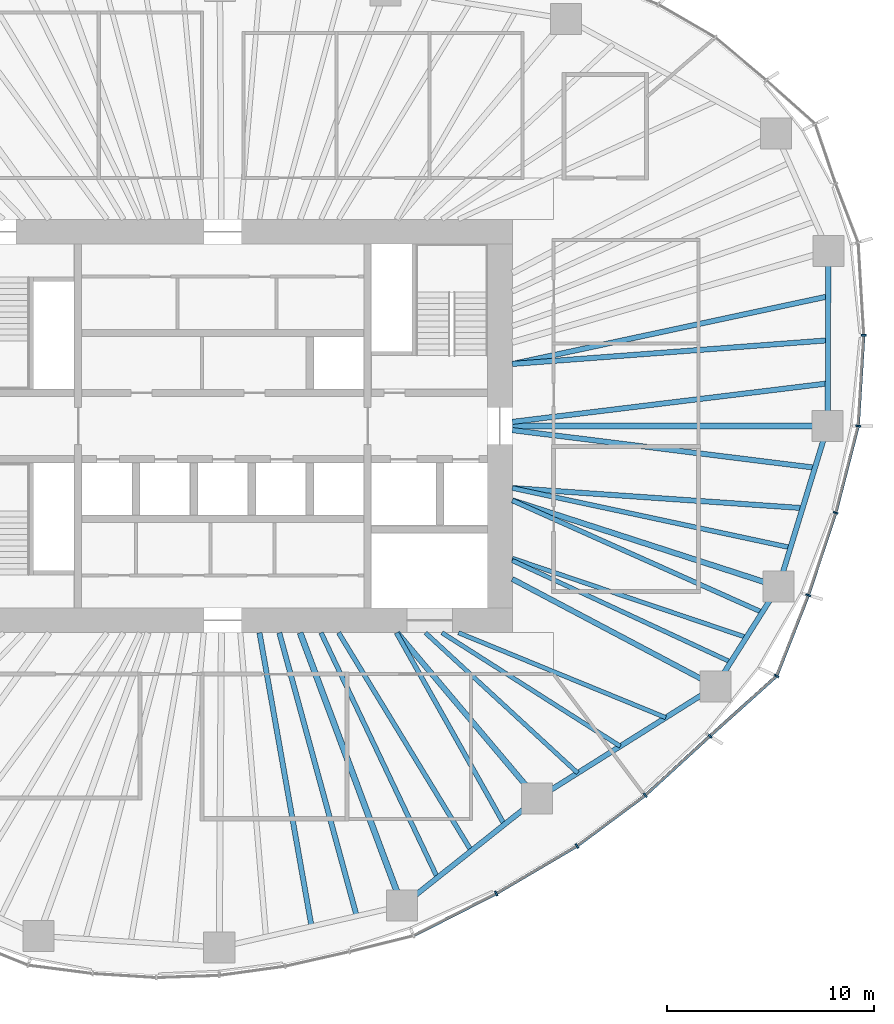
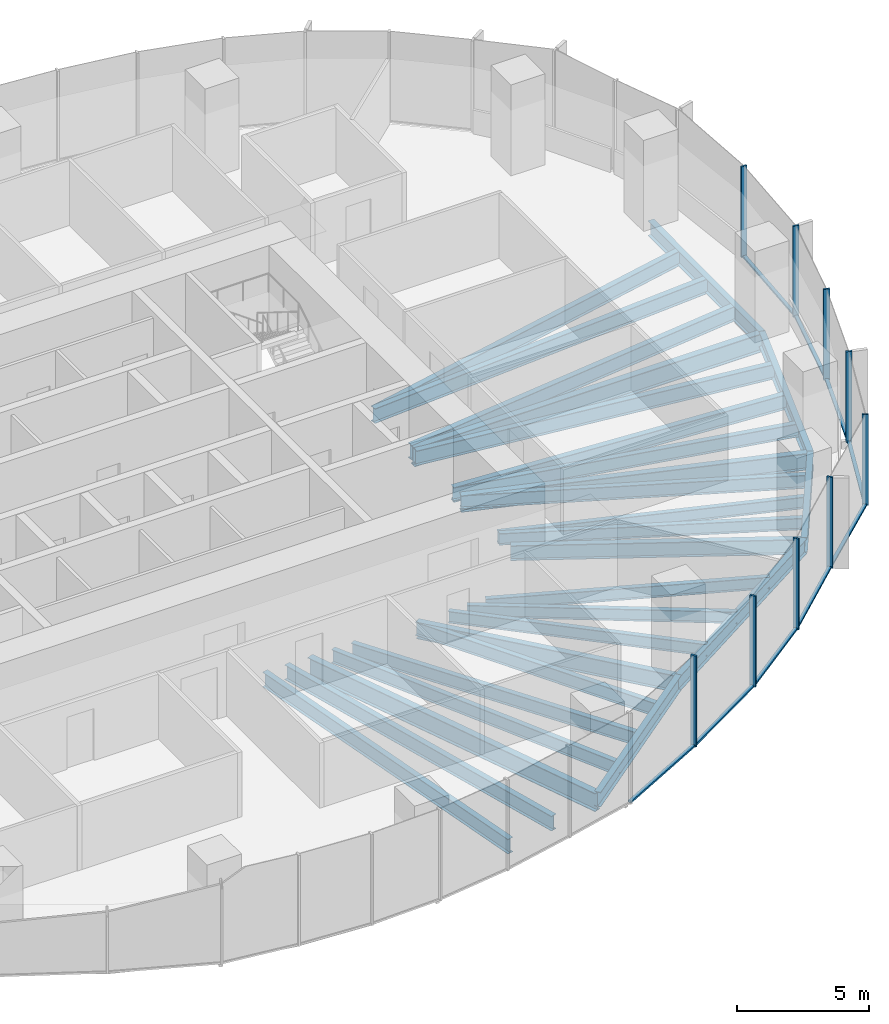
# One storey, part 4 of 18: 27 beams, 18 members, 5 elements without a shape of their own.
"""IFC4 building model written with IfcOpenShell, lengths in metres."""

from ifc_helpers import new_model, si_unit, direction, frame, origin, origin_2d, place, context, subcontext, project, spatial, rectangle, i_section, extrude, material, material_profile, profile_set, type_object, element, aggregate, save


model = new_model("IFC4")

# Units and contexts
model_context = context("Model", 3, precision=1e-05, world=origin(), true_north=direction((0.0, 1.0)))
body_context = subcontext(model_context, "Body", "Model", "MODEL_VIEW")
ifc_project = project(units=[si_unit("LENGTHUNIT", "METRE"), si_unit("AREAUNIT", "SQUARE_METRE"), si_unit("VOLUMEUNIT", "CUBIC_METRE"), si_unit("PLANEANGLEUNIT", "RADIAN"), si_unit("MASSUNIT", "GRAM", prefix="KILO")], contexts=[model_context])

# Site, building, storey
site_placement = place(None, origin())
site = spatial("IfcSite", under=ifc_project, at=site_placement, CompositionType="ELEMENT")
building_placement = place(site_placement, origin())
building = spatial("IfcBuilding", under=site, at=building_placement, Name="Ghaith Harvest Tower", CompositionType="ELEMENT")
storey_placement = place(building_placement, frame((0.0, 0.0, 121.800048828125)))
storey = spatial("IfcBuildingStorey", under=building, at=storey_placement, Name="L25", CompositionType="ELEMENT", Elevation=121.800048828125)

# Curtain wall, members
ifc_material_1 = material(Name="Black anodised aluminium and fritted glass", Category="aluminium")
curtain_wall_type = type_object("IfcCurtainWallType", Name="CW-L CURTAIN WALL", PredefinedType="NOTDEFINED", material=ifc_material_1)
curtain_wall_1_placement = place(storey_placement, origin())
curtain_wall_1 = element("IfcCurtainWall", 1, at=curtain_wall_1_placement, inside=storey, type_object=curtain_wall_type, Name="Curtain wall CW-L bay 01 L25", PredefinedType="NOTDEFINED")
ifc_material_2 = material(Name="Aluminium, black anodised", Category="aluminium")
ifc_material_profile_1 = material_profile(ifc_material_2, rectangle(XDim=0.080078125, YDim=0.239990234375, at=origin_2d()), Name="CW-L MULLION 80x240")
ifc_profile_set_1 = profile_set([ifc_material_profile_1], Name="Aluminium, black anodised")
member_type_1 = type_object("IfcMemberType", Name="CW-L MULLION 80x240", PredefinedType="MULLION", material=ifc_profile_set_1)
member_1_placement = place(storey_placement, frame((30.728759765625, 0.0, 0.0), z_axis=(0.0, 0.0, 1.0), x_axis=(0.155597142981, 0.987820595602, 0.0)))
member_1 = element("IfcMember", 2, at=member_1_placement, type_object=member_type_1, Name="CW-L mullion 1 bay 01 L25", PredefinedType="MULLION", context=body_context, shape_type="SweptSolid", body=[
    extrude(rectangle(XDim=0.080078125, YDim=0.239990234375, at=origin_2d()), origin(), (0.0, 0.0, 1.0), 4.199951171875),
])
member_2_placement = place(storey_placement, frame((30.998779296875, 4.389892578125, 0.0), z_axis=(0.0, 0.0, 1.0), x_axis=(-0.000162467394, 0.999999986802, 0.0)))
member_2 = element("IfcMember", 3, at=member_2_placement, type_object=member_type_1, Name="CW-L mullion 2 bay 01 L25", PredefinedType="MULLION", context=body_context, shape_type="SweptSolid", body=[
    extrude(rectangle(XDim=0.080078125, YDim=0.239990234375, at=origin_2d()), origin(), (0.0, 0.0, 1.0), 4.199951171875),
])

# Curtain wall, member
curtain_wall_2_placement = place(storey_placement, origin())
curtain_wall_2 = element("IfcCurtainWall", 4, at=curtain_wall_2_placement, inside=storey, type_object=curtain_wall_type, Name="Curtain wall CW-L bay 17 L25", PredefinedType="NOTDEFINED")
member_3_placement = place(storey_placement, frame((13.224365234375, -22.614013671875, 0.0), z_axis=(0.0, 0.0, 1.0), x_axis=(0.876898762173, 0.480675109507, 0.0)))
member_3 = element("IfcMember", 5, at=member_3_placement, type_object=member_type_1, Name="CW-L mullion 2 bay 17 L25", PredefinedType="MULLION", context=body_context, shape_type="SweptSolid", body=[
    extrude(rectangle(XDim=0.080078125, YDim=0.239990234375, at=origin_2d()), origin(), (0.0, 0.0, 1.0), 4.199951171875),
])

# Curtain wall, members
curtain_wall_3_placement = place(storey_placement, origin())
curtain_wall_3 = element("IfcCurtainWall", 6, at=curtain_wall_3_placement, inside=storey, type_object=curtain_wall_type, Name="Curtain wall CW-L bay 18 L25", PredefinedType="NOTDEFINED")
member_4_placement = place(storey_placement, frame((17.1318359375, -20.31591796875, 0.0), z_axis=(0.0, 0.0, 1.0), x_axis=(0.834887453241, 0.550420694035, 0.0)))
member_4 = element("IfcMember", 7, at=member_4_placement, type_object=member_type_1, Name="CW-L mullion 1 bay 18 L25", PredefinedType="MULLION", context=body_context, shape_type="SweptSolid", body=[
    extrude(rectangle(XDim=0.080078125, YDim=0.239990234375, at=origin_2d()), origin(), (0.0, 0.0, 1.0), 4.199951171875),
])
member_5_placement = place(storey_placement, frame((20.4296875, -17.86376953125, 0.0), z_axis=(0.0, 0.0, 1.0), x_axis=(0.770306399656, 0.637673937564, 0.0)))
member_5 = element("IfcMember", 8, at=member_5_placement, type_object=member_type_1, Name="CW-L mullion 2 bay 18 L25", PredefinedType="MULLION", context=body_context, shape_type="SweptSolid", body=[
    extrude(rectangle(XDim=0.080078125, YDim=0.239990234375, at=origin_2d()), origin(), (0.0, 0.0, 1.0), 4.199951171875),
])

curtain_wall_4_placement = place(storey_placement, origin())
curtain_wall_4 = element("IfcCurtainWall", 9, at=curtain_wall_4_placement, inside=storey, type_object=curtain_wall_type, Name="Curtain wall CW-L bay 19 L25", PredefinedType="NOTDEFINED")
member_6_placement = place(storey_placement, frame((23.560546875, -14.994140625, 0.0), z_axis=(0.0, 0.0, 1.0), x_axis=(0.740389054945, 0.672178582906, 0.0)))
member_6 = element("IfcMember", 10, at=member_6_placement, type_object=member_type_1, Name="CW-L mullion 1 bay 19 L25", PredefinedType="MULLION", context=body_context, shape_type="SweptSolid", body=[
    extrude(rectangle(XDim=0.080078125, YDim=0.239990234375, at=origin_2d()), origin(), (0.0, 0.0, 1.0), 4.199951171875),
])
member_7_placement = place(storey_placement, frame((26.786376953125, -12.0927734375, 0.0), z_axis=(0.0, 0.0, 1.0), x_axis=(0.572853476908, 0.819657790785, 0.0)))
member_7 = element("IfcMember", 11, at=member_7_placement, type_object=member_type_1, Name="CW-L mullion 2 bay 19 L25", PredefinedType="MULLION", context=body_context, shape_type="SweptSolid", body=[
    extrude(rectangle(XDim=0.080078125, YDim=0.239990234375, at=origin_2d()), origin(), (0.0, 0.0, 1.0), 4.199951171875),
])

curtain_wall_5_placement = place(storey_placement, origin())
curtain_wall_5 = element("IfcCurtainWall", 12, at=curtain_wall_5_placement, inside=storey, type_object=curtain_wall_type, Name="Curtain wall CW-L bay 20 L25", PredefinedType="NOTDEFINED")
member_8_placement = place(storey_placement, frame((28.319580078125, -8.184814453125, 0.0), z_axis=(0.0, 0.0, 1.0), x_axis=(0.34057402484, 0.94021770543, 0.0)))
member_8 = element("IfcMember", 13, at=member_8_placement, type_object=member_type_1, Name="CW-L mullion 1 bay 20 L25", PredefinedType="MULLION", context=body_context, shape_type="SweptSolid", body=[
    extrude(rectangle(XDim=0.080078125, YDim=0.239990234375, at=origin_2d()), origin(), (0.0, 0.0, 1.0), 4.199951171875),
])
member_9_placement = place(storey_placement, frame((29.64599609375, -4.1982421875, 0.0), z_axis=(0.0, 0.0, 1.0), x_axis=(0.282375140161, 0.959304060358, 0.0)))
member_9 = element("IfcMember", 14, at=member_9_placement, type_object=member_type_1, Name="CW-L mullion 2 bay 20 L25", PredefinedType="MULLION", context=body_context, shape_type="SweptSolid", body=[
    extrude(rectangle(XDim=0.080078125, YDim=0.239990234375, at=origin_2d()), origin(), (0.0, 0.0, 1.0), 4.199951171875),
])

# Member
ifc_material_3 = material(Name="Aluminium, black anodised", Category="aluminium")
ifc_material_profile_2 = material_profile(ifc_material_3, rectangle(XDim=0.14990234375, YDim=0.080078125, at=origin_2d()), Name="CW-L TRANSOM 150x80")
ifc_profile_set_2 = profile_set([ifc_material_profile_2], Name="Aluminium, black anodised")
member_type_2 = type_object("IfcMemberType", Name="CW-L TRANSOM 150x80", PredefinedType="USERDEFINED", material=ifc_profile_set_2)
member_10_placement = place(storey_placement, frame((30.731201171875, 0.0400390625, 0.0400390625), z_axis=(0.061403204251, 0.99811304295, 0.0), x_axis=(-0.99811304295, 0.061403204251, 0.0)))
member_10 = element("IfcMember", 15, at=member_10_placement, type_object=member_type_2, Name="CW-L transom 1 bay 01 L25", ObjectType="TRANSOM", PredefinedType="USERDEFINED", context=body_context, shape_type="SweptSolid", body=[
    extrude(rectangle(XDim=0.14990234375, YDim=0.080078125, at=origin_2d()), origin(), (0.0, 0.0, 1.0), 4.31787109375),
])

aggregate(curtain_wall_1, [member_1, member_10, member_2])

member_11_placement = place(storey_placement, frame((9.25244140625, -24.636474609375, 0.0400390625), z_axis=(0.891120044719, 0.453767634258, 0.0), x_axis=(-0.453767634258, 0.891120044719, 0.0)))
member_11 = element("IfcMember", 16, at=member_11_placement, type_object=member_type_2, Name="CW-L transom 1 bay 17 L25", ObjectType="TRANSOM", PredefinedType="USERDEFINED", context=body_context, shape_type="SweptSolid", body=[
    extrude(rectangle(XDim=0.14990234375, YDim=0.080078125, at=origin_2d()), origin(), (0.0, 0.0, 1.0), 4.417236328125),
])

member_12_placement = place(storey_placement, frame((13.259033203125, -22.59375, 0.0400390625), z_axis=(0.86196381091, 0.506969810424, 0.0), x_axis=(-0.506969810424, 0.86196381091, 0.0)))
member_12 = element("IfcMember", 17, at=member_12_placement, type_object=member_type_2, Name="CW-L transom 2 bay 17 L25", ObjectType="TRANSOM", PredefinedType="USERDEFINED", context=body_context, shape_type="SweptSolid", body=[
    extrude(rectangle(XDim=0.14990234375, YDim=0.080078125, at=origin_2d()), origin(), (0.0, 0.0, 1.0), 4.453125),
])

aggregate(curtain_wall_2, [member_11, member_3, member_12])

member_13_placement = place(storey_placement, frame((17.1640625, -20.2919921875, 0.0400390625), z_axis=(0.802465316609, 0.59669876457, 0.0), x_axis=(-0.59669876457, 0.802465316609, 0.0)))
member_13 = element("IfcMember", 18, at=member_13_placement, type_object=member_type_2, Name="CW-L transom 1 bay 18 L25", ObjectType="TRANSOM", PredefinedType="USERDEFINED", context=body_context, shape_type="SweptSolid", body=[
    extrude(rectangle(XDim=0.14990234375, YDim=0.080078125, at=origin_2d()), origin(), (0.0, 0.0, 1.0), 4.029296875),
])

member_14_placement = place(storey_placement, frame((20.459228515625, -17.836669921875, 0.0400390625), z_axis=(0.737197916434, 0.675676869521, 0.0), x_axis=(-0.675676869521, 0.737197916434, 0.0)))
member_14 = element("IfcMember", 19, at=member_14_placement, type_object=member_type_2, Name="CW-L transom 2 bay 18 L25", ObjectType="TRANSOM", PredefinedType="USERDEFINED", context=body_context, shape_type="SweptSolid", body=[
    extrude(rectangle(XDim=0.14990234375, YDim=0.080078125, at=origin_2d()), origin(), (0.0, 0.0, 1.0), 4.166748046875),
])

aggregate(curtain_wall_3, [member_4, member_13, member_5, member_14])

member_15_placement = place(storey_placement, frame((23.59033203125, -14.967529296875, 0.0400390625), z_axis=(0.74346800111, 0.668771509056, 0.0), x_axis=(-0.668771509056, 0.74346800111, 0.0)))
member_15 = element("IfcMember", 20, at=member_15_placement, type_object=member_type_2, Name="CW-L transom 1 bay 19 L25", ObjectType="TRANSOM", PredefinedType="USERDEFINED", context=body_context, shape_type="SweptSolid", body=[
    extrude(rectangle(XDim=0.14990234375, YDim=0.080078125, at=origin_2d()), origin(), (0.0, 0.0, 1.0), 4.2587890625),
])

member_16_placement = place(storey_placement, frame((26.801025390625, -12.055419921875, 0.0400390625), z_axis=(0.365228588652, 0.930917868575, 0.0), x_axis=(-0.930917868575, 0.365228588652, 0.0)))
member_16 = element("IfcMember", 21, at=member_16_placement, type_object=member_type_2, Name="CW-L transom 2 bay 19 L25", ObjectType="TRANSOM", PredefinedType="USERDEFINED", context=body_context, shape_type="SweptSolid", body=[
    extrude(rectangle(XDim=0.14990234375, YDim=0.080078125, at=origin_2d()), origin(), (0.0, 0.0, 1.0), 4.11767578125),
])

aggregate(curtain_wall_4, [member_6, member_15, member_7, member_16])

member_17_placement = place(storey_placement, frame((28.33203125, -8.14697265625, 0.0400390625), z_axis=(0.315712391444, 0.948854934059, 0.0), x_axis=(-0.948854934059, 0.315712391444, 0.0)))
member_17 = element("IfcMember", 22, at=member_17_placement, type_object=member_type_2, Name="CW-L transom 1 bay 20 L25", ObjectType="TRANSOM", PredefinedType="USERDEFINED", context=body_context, shape_type="SweptSolid", body=[
    extrude(rectangle(XDim=0.14990234375, YDim=0.080078125, at=origin_2d()), origin(), (0.0, 0.0, 1.0), 4.12158203125),
])

member_18_placement = place(storey_placement, frame((29.656005859375, -4.159423828125, 0.0400390625), z_axis=(0.249737470584, 0.968313583395, 0.0), x_axis=(-0.968313583395, 0.249737470584, 0.0)))
member_18 = element("IfcMember", 23, at=member_18_placement, type_object=member_type_2, Name="CW-L transom 2 bay 20 L25", ObjectType="TRANSOM", PredefinedType="USERDEFINED", context=body_context, shape_type="SweptSolid", body=[
    extrude(rectangle(XDim=0.14990234375, YDim=0.080078125, at=origin_2d()), origin(), (0.0, 0.0, 1.0), 4.25537109375),
])

aggregate(curtain_wall_5, [member_8, member_17, member_9, member_18])

# Beams
ifc_material_4 = material(Name="Steel ASTM A992 Grade 50", Category="steel")
ifc_material_profile_3 = material_profile(ifc_material_4, i_section(OverallWidth=0.25390625, OverallDepth=0.68408203125, WebThickness=0.012451171875, FlangeThickness=0.018798828125, at=origin_2d()), Name="W690X140")
ifc_profile_set_3 = profile_set([ifc_material_profile_3], Name="Steel ASTM A992 Grade 50")
beam_type_1 = type_object("IfcBeamType", Name="E690-140 W690X140", PredefinedType="SPANDREL", material=ifc_profile_set_3)
beam_1_placement = place(storey_placement, frame((29.259033203125, 0.0, -0.511962890625), z_axis=(0.003172847394, 0.999994966507, 0.0), x_axis=(-0.999994966507, 0.003172847394, 0.0)))
element("IfcBeam", 24, at=beam_1_placement, inside=storey, type_object=beam_type_1, Name="Edge beam E01 L25", PredefinedType="SPANDREL", context=body_context, shape_type="SweptSolid", body=[
    extrude(i_section(OverallWidth=0.25390625, OverallDepth=0.68408203125, WebThickness=0.012451171875, FlangeThickness=0.018798828125, at=origin_2d()), origin(), (0.0, 0.0, 1.0), 8.464111328125),
])
beam_2_placement = place(storey_placement, frame((8.674072265625, -23.202880859375, -0.511962890625), z_axis=(0.783159540917, 0.621820821033, 0.0), x_axis=(-0.621820821033, 0.783159540917, 0.0)))
element("IfcBeam", 25, at=beam_2_placement, inside=storey, type_object=beam_type_1, Name="Edge beam E17 L25", PredefinedType="SPANDREL", context=body_context, shape_type="SweptSolid", body=[
    extrude(i_section(OverallWidth=0.25390625, OverallDepth=0.68408203125, WebThickness=0.012451171875, FlangeThickness=0.018798828125, at=origin_2d()), origin(), (0.0, 0.0, 1.0), 8.330322265625),
])
beam_3_placement = place(storey_placement, frame((15.197998046875, -18.02294921875, -0.511962890625), z_axis=(0.846385185363, 0.532571232793, 0.0), x_axis=(-0.532571232793, 0.846385185363, 0.0)))
element("IfcBeam", 26, at=beam_3_placement, inside=storey, type_object=beam_type_1, Name="Edge beam E18 L25", PredefinedType="SPANDREL", context=body_context, shape_type="SweptSolid", body=[
    extrude(i_section(OverallWidth=0.25390625, OverallDepth=0.68408203125, WebThickness=0.012451171875, FlangeThickness=0.018798828125, at=origin_2d()), origin(), (0.0, 0.0, 1.0), 10.19384765625),
])
beam_4_placement = place(storey_placement, frame((23.825927734375, -12.593994140625, -0.511962890625), z_axis=(0.534499624093, 0.845168712059, 0.0), x_axis=(-0.845168712059, 0.534499624093, 0.0)))
element("IfcBeam", 27, at=beam_4_placement, inside=storey, type_object=beam_type_1, Name="Edge beam E19 L25", PredefinedType="SPANDREL", context=body_context, shape_type="SweptSolid", body=[
    extrude(i_section(OverallWidth=0.25390625, OverallDepth=0.68408203125, WebThickness=0.012451171875, FlangeThickness=0.018798828125, at=origin_2d()), origin(), (0.0, 0.0, 1.0), 5.7099609375),
])
beam_5_placement = place(storey_placement, frame((26.8779296875, -7.76806640625, -0.511962890625), z_axis=(0.293065809375, 0.956092271371, 0.0), x_axis=(-0.956092271371, 0.293065809375, 0.0)))
element("IfcBeam", 28, at=beam_5_placement, inside=storey, type_object=beam_type_1, Name="Edge beam E20 L25", PredefinedType="SPANDREL", context=body_context, shape_type="SweptSolid", body=[
    extrude(i_section(OverallWidth=0.25390625, OverallDepth=0.68408203125, WebThickness=0.012451171875, FlangeThickness=0.018798828125, at=origin_2d()), origin(), (0.0, 0.0, 1.0), 8.124755859375),
])
ifc_material_5 = material(Name="Steel ASTM A992 Grade 50", Category="steel")
ifc_material_profile_4 = material_profile(ifc_material_5, i_section(OverallWidth=0.256103515625, OverallDepth=0.693115234375, WebThickness=0.014404296875, FlangeThickness=0.023681640625, at=origin_2d()), Name="W690X170")
ifc_profile_set_4 = profile_set([ifc_material_profile_4], Name="Steel ASTM A992 Grade 50")
beam_type_2 = type_object("IfcBeamType", Name="G690-170 W690X170", PredefinedType="BEAM", material=ifc_profile_set_4)
beam_6_placement = place(storey_placement, frame((14.0, -7.39990234375, -0.5166015625), z_axis=(0.884080549082, -0.467334551189, 0.0), x_axis=(0.467334551189, 0.884080549082, 0.0)))
element("IfcBeam", 29, at=beam_6_placement, inside=storey, type_object=beam_type_2, Name="Radial girder G19 L25", PredefinedType="BEAM", context=body_context, shape_type="SweptSolid", body=[
    extrude(i_section(OverallWidth=0.256103515625, OverallDepth=0.693115234375, WebThickness=0.014404296875, FlangeThickness=0.023681640625, at=origin_2d()), origin(), (0.0, 0.0, 1.0), 11.1142578125),
])
ifc_material_6 = material(Name="Steel ASTM A992 Grade 50", Category="steel")
ifc_material_profile_5 = material_profile(ifc_material_6, i_section(OverallWidth=0.26806640625, OverallDepth=0.77001953125, WebThickness=0.015625, FlangeThickness=0.025390625, at=origin_2d()), Name="W760X196")
ifc_profile_set_5 = profile_set([ifc_material_profile_5], Name="Steel ASTM A992 Grade 50")
beam_type_3 = type_object("IfcBeamType", Name="G760-196 W760X196", PredefinedType="BEAM", material=ifc_profile_set_5)
beam_7_placement = place(storey_placement, frame((8.4326171875, -10.0, -0.554931640625), z_axis=(0.644649240595, -0.764478486682, 0.0), x_axis=(0.764478486682, 0.644649240595, 0.0)))
element("IfcBeam", 30, at=beam_7_placement, inside=storey, type_object=beam_type_3, Name="Radial girder G18 L25", PredefinedType="BEAM", context=body_context, shape_type="SweptSolid", body=[
    extrude(i_section(OverallWidth=0.26806640625, OverallDepth=0.77001953125, WebThickness=0.015625, FlangeThickness=0.025390625, at=origin_2d()), origin(), (0.0, 0.0, 1.0), 10.49462890625),
])
beam_8_placement = place(storey_placement, frame((14.0, -3.60009765625, -0.554931640625), z_axis=(0.951410331565, -0.307925934262, 0.0), x_axis=(0.307925934262, 0.951410331565, 0.0)))
element("IfcBeam", 31, at=beam_8_placement, inside=storey, type_object=beam_type_3, Name="Radial girder G20 L25", PredefinedType="BEAM", context=body_context, shape_type="SweptSolid", body=[
    extrude(i_section(OverallWidth=0.26806640625, OverallDepth=0.77001953125, WebThickness=0.015625, FlangeThickness=0.025390625, at=origin_2d()), origin(), (0.0, 0.0, 1.0), 13.53564453125),
])
ifc_material_7 = material(Name="Steel ASTM A992 Grade 50", Category="steel")
ifc_material_profile_6 = material_profile(ifc_material_7, i_section(OverallWidth=0.2939453125, OverallDepth=0.85107421875, WebThickness=0.01611328125, FlangeThickness=0.02685546875, at=origin_2d()), Name="W840X226")
ifc_profile_set_6 = profile_set([ifc_material_profile_6], Name="Steel ASTM A992 Grade 50")
beam_type_4 = type_object("IfcBeamType", Name="G840-226 W840X226", PredefinedType="BEAM", material=ifc_profile_set_6)
beam_9_placement = place(storey_placement, frame((14.0, 0.0, -0.595458984375), z_axis=(1.0, 0.0, 0.0), x_axis=(0.0, 1.0, 0.0)))
element("IfcBeam", 32, at=beam_9_placement, inside=storey, type_object=beam_type_4, Name="Radial girder G01 L25", PredefinedType="BEAM", context=body_context, shape_type="SweptSolid", body=[
    extrude(i_section(OverallWidth=0.2939453125, OverallDepth=0.85107421875, WebThickness=0.01611328125, FlangeThickness=0.02685546875, at=origin_2d()), origin(), (0.0, 0.0, 1.0), 15.259033203125),
])
beam_10_placement = place(storey_placement, frame((3.73828125, -10.0, -0.595458984375), z_axis=(0.350172283717, -0.936685310932, 0.0), x_axis=(0.936685310932, 0.350172283717, 0.0)))
element("IfcBeam", 33, at=beam_10_placement, inside=storey, type_object=beam_type_4, Name="Radial girder G17 L25", PredefinedType="BEAM", context=body_context, shape_type="SweptSolid", body=[
    extrude(i_section(OverallWidth=0.2939453125, OverallDepth=0.85107421875, WebThickness=0.01611328125, FlangeThickness=0.02685546875, at=origin_2d()), origin(), (0.0, 0.0, 1.0), 14.09521484375),
])
ifc_material_8 = material(Name="Steel ASTM A992 Grade 50", Category="steel")
ifc_material_profile_7 = material_profile(ifc_material_8, i_section(OverallWidth=0.2109375, OverallDepth=0.5390625, WebThickness=0.01171875, FlangeThickness=0.018798828125, at=origin_2d()), Name="W530X109")
ifc_profile_set_7 = profile_set([ifc_material_profile_7], Name="Steel ASTM A992 Grade 50")
beam_type_5 = type_object("IfcBeamType", Name="J530-109 W530X109", PredefinedType="JOIST", material=ifc_profile_set_7)
beam_11_placement = place(storey_placement, frame((9.800048828125, -10.0, -0.439453125), z_axis=(0.735441512033, -0.677588210035, 0.0), x_axis=(0.677588210035, 0.735441512033, 0.0)))
element("IfcBeam", 34, at=beam_11_placement, inside=storey, type_object=beam_type_5, Name="Joist J18.1 L25", PredefinedType="JOIST", context=body_context, shape_type="SweptSolid", body=[
    extrude(i_section(OverallWidth=0.2109375, OverallDepth=0.5390625, WebThickness=0.01171875, FlangeThickness=0.018798828125, at=origin_2d()), origin(), (0.0, 0.0, 1.0), 10.01416015625),
])
beam_12_placement = place(storey_placement, frame((10.60009765625, -10.0, -0.439453125), z_axis=(0.843584777848, -0.536996017288, 0.0), x_axis=(0.536996017288, 0.843584777848, 0.0)))
element("IfcBeam", 35, at=beam_12_placement, inside=storey, type_object=beam_type_5, Name="Joist J18.2 L25", PredefinedType="JOIST", context=body_context, shape_type="SweptSolid", body=[
    extrude(i_section(OverallWidth=0.2109375, OverallDepth=0.5390625, WebThickness=0.01171875, FlangeThickness=0.018798828125, at=origin_2d()), origin(), (0.0, 0.0, 1.0), 10.22314453125),
])
beam_13_placement = place(storey_placement, frame((11.39990234375, -10.0, -0.439453125), z_axis=(0.925406878607, -0.378975077053, 0.0), x_axis=(0.378975077053, 0.925406878607, 0.0)))
element("IfcBeam", 36, at=beam_13_placement, inside=storey, type_object=beam_type_5, Name="Joist J18.3 L25", PredefinedType="JOIST", context=body_context, shape_type="SweptSolid", body=[
    extrude(i_section(OverallWidth=0.2109375, OverallDepth=0.5390625, WebThickness=0.01171875, FlangeThickness=0.018798828125, at=origin_2d()), origin(), (0.0, 0.0, 1.0), 10.83251953125),
])
beam_14_placement = place(storey_placement, frame((14.0, -6.506103515625, -0.439453125), z_axis=(0.906863188232, -0.421425150922, 0.0), x_axis=(0.421425150922, 0.906863188232, 0.0)))
element("IfcBeam", 37, at=beam_14_placement, inside=storey, type_object=beam_type_5, Name="Joist J19.1 L25", PredefinedType="JOIST", context=body_context, shape_type="SweptSolid", body=[
    extrude(i_section(OverallWidth=0.2109375, OverallDepth=0.5390625, WebThickness=0.01171875, FlangeThickness=0.018798828125, at=origin_2d()), origin(), (0.0, 0.0, 1.0), 11.6552734375),
])
beam_15_placement = place(storey_placement, frame((14.0, -6.39990234375, -0.439453125), z_axis=(0.947372072272, -0.320134591508, 0.0), x_axis=(0.320134591508, 0.947372072272, 0.0)))
element("IfcBeam", 38, at=beam_15_placement, inside=storey, type_object=beam_type_5, Name="Joist J19.2 L25", PredefinedType="JOIST", context=body_context, shape_type="SweptSolid", body=[
    extrude(i_section(OverallWidth=0.2109375, OverallDepth=0.5390625, WebThickness=0.01171875, FlangeThickness=0.018798828125, at=origin_2d()), origin(), (0.0, 0.0, 1.0), 11.95263671875),
])
ifc_material_9 = material(Name="Steel ASTM A992 Grade 50", Category="steel")
ifc_material_profile_8 = material_profile(ifc_material_9, i_section(OverallWidth=0.22900390625, OverallDepth=0.612060546875, WebThickness=0.011962890625, FlangeThickness=0.01953125, at=origin_2d()), Name="W610X125")
ifc_profile_set_8 = profile_set([ifc_material_profile_8], Name="Steel ASTM A992 Grade 50")
beam_type_6 = type_object("IfcBeamType", Name="J610-125 W610X125", PredefinedType="JOIST", material=ifc_profile_set_8)
beam_16_placement = place(storey_placement, frame((4.75, -10.0, -0.47607421875), z_axis=(0.429062888327, -0.903274619294, 0.0), x_axis=(0.903274619294, 0.429062888327, 0.0)))
element("IfcBeam", 39, at=beam_16_placement, inside=storey, type_object=beam_type_6, Name="Joist J17.1 L25", PredefinedType="JOIST", context=body_context, shape_type="SweptSolid", body=[
    extrude(i_section(OverallWidth=0.22900390625, OverallDepth=0.612060546875, WebThickness=0.011962890625, FlangeThickness=0.01953125, at=origin_2d()), origin(), (0.0, 0.0, 1.0), 13.118408203125),
])
beam_17_placement = place(storey_placement, frame((5.60009765625, -10.0, -0.47607421875), z_axis=(0.51969412955, -0.854352393167, 0.0), x_axis=(0.854352393167, 0.51969412955, 0.0)))
element("IfcBeam", 40, at=beam_17_placement, inside=storey, type_object=beam_type_6, Name="Joist J17.2 L25", PredefinedType="JOIST", context=body_context, shape_type="SweptSolid", body=[
    extrude(i_section(OverallWidth=0.22900390625, OverallDepth=0.612060546875, WebThickness=0.011962890625, FlangeThickness=0.01953125, at=origin_2d()), origin(), (0.0, 0.0, 1.0), 12.34716796875),
])
beam_18_placement = place(storey_placement, frame((8.39990234375, -10.0, -0.47607421875), z_axis=(0.489936713337, -0.871758003648, 0.0), x_axis=(0.871758003648, 0.489936713337, 0.0)))
element("IfcBeam", 41, at=beam_18_placement, inside=storey, type_object=beam_type_6, Name="Joist J17.3 L25", PredefinedType="JOIST", context=body_context, shape_type="SweptSolid", body=[
    extrude(i_section(OverallWidth=0.22900390625, OverallDepth=0.612060546875, WebThickness=0.011962890625, FlangeThickness=0.01953125, at=origin_2d()), origin(), (0.0, 0.0, 1.0), 10.64501953125),
])
beam_19_placement = place(storey_placement, frame((14.0, -3.60009765625, -0.47607421875), z_axis=(0.912738327266, -0.408544668231, 0.0), x_axis=(0.408544668231, 0.912738327266, 0.0)))
element("IfcBeam", 42, at=beam_19_placement, inside=storey, type_object=beam_type_6, Name="Joist J19.3 L25", PredefinedType="JOIST", context=body_context, shape_type="SweptSolid", body=[
    extrude(i_section(OverallWidth=0.22900390625, OverallDepth=0.612060546875, WebThickness=0.011962890625, FlangeThickness=0.01953125, at=origin_2d()), origin(), (0.0, 0.0, 1.0), 13.247314453125),
])
beam_20_placement = place(storey_placement, frame((14.0, -3.0, -0.47607421875), z_axis=(0.97783433664, -0.209380061343, 0.0), x_axis=(0.209380061343, 0.97783433664, 0.0)))
element("IfcBeam", 43, at=beam_20_placement, inside=storey, type_object=beam_type_6, Name="Joist J20.1 L25", PredefinedType="JOIST", context=body_context, shape_type="SweptSolid", body=[
    extrude(i_section(OverallWidth=0.22900390625, OverallDepth=0.612060546875, WebThickness=0.011962890625, FlangeThickness=0.01953125, at=origin_2d()), origin(), (0.0, 0.0, 1.0), 13.76123046875),
])
ifc_material_10 = material(Name="Steel ASTM A992 Grade 50", Category="steel")
ifc_material_profile_9 = material_profile(ifc_material_10, i_section(OverallWidth=0.25390625, OverallDepth=0.68408203125, WebThickness=0.012451171875, FlangeThickness=0.018798828125, at=origin_2d()), Name="W690X140")
ifc_profile_set_9 = profile_set([ifc_material_profile_9], Name="Steel ASTM A992 Grade 50")
beam_type_7 = type_object("IfcBeamType", Name="J690-140 W690X140", PredefinedType="JOIST", material=ifc_profile_set_9)
beam_21_placement = place(storey_placement, frame((14.0, 0.199951171875, -0.511962890625), z_axis=(0.992642759881, 0.121079937462, 0.0), x_axis=(-0.121079937462, 0.992642759881, 0.0)))
element("IfcBeam", 44, at=beam_21_placement, inside=storey, type_object=beam_type_7, Name="Joist J01.1 L25", PredefinedType="JOIST", context=body_context, shape_type="SweptSolid", body=[
    extrude(i_section(OverallWidth=0.25390625, OverallDepth=0.68408203125, WebThickness=0.012451171875, FlangeThickness=0.018798828125, at=origin_2d()), origin(), (0.0, 0.0, 1.0), 15.378662109375),
])
beam_22_placement = place(storey_placement, frame((14.0, 3.0, -0.511962890625), z_axis=(0.997200052902, 0.074780040735, 0.0), x_axis=(-0.074780040735, 0.997200052902, 0.0)))
element("IfcBeam", 45, at=beam_22_placement, inside=storey, type_object=beam_type_7, Name="Joist J01.2 L25", PredefinedType="JOIST", context=body_context, shape_type="SweptSolid", body=[
    extrude(i_section(OverallWidth=0.25390625, OverallDepth=0.68408203125, WebThickness=0.012451171875, FlangeThickness=0.018798828125, at=origin_2d()), origin(), (0.0, 0.0, 1.0), 15.315185546875),
])
beam_23_placement = place(storey_placement, frame((14.0, 3.0, -0.511962890625), z_axis=(0.977833271545, 0.209385035425, 0.0), x_axis=(-0.209385035425, 0.977833271545, 0.0)))
element("IfcBeam", 46, at=beam_23_placement, inside=storey, type_object=beam_type_7, Name="Joist J01.3 L25", PredefinedType="JOIST", context=body_context, shape_type="SweptSolid", body=[
    extrude(i_section(OverallWidth=0.25390625, OverallDepth=0.68408203125, WebThickness=0.012451171875, FlangeThickness=0.018798828125, at=origin_2d()), origin(), (0.0, 0.0, 1.0), 15.62548828125),
])
beam_24_placement = place(storey_placement, frame((1.772705078125, -10.0, -0.511962890625), z_axis=(0.174552818486, -0.98464781194, 0.0), x_axis=(0.98464781194, 0.174552818486, 0.0)))
element("IfcBeam", 47, at=beam_24_placement, inside=storey, type_object=beam_type_7, Name="Joist J16.2 L25", PredefinedType="JOIST", context=body_context, shape_type="SweptSolid", body=[
    extrude(i_section(OverallWidth=0.25390625, OverallDepth=0.68408203125, WebThickness=0.012451171875, FlangeThickness=0.018798828125, at=origin_2d()), origin(), (0.0, 0.0, 1.0), 14.42578125),
])
beam_25_placement = place(storey_placement, frame((2.73095703125, -10.0, -0.511962890625), z_axis=(0.263463446032, -0.964669379946, 0.0), x_axis=(0.964669379946, 0.263463446032, 0.0)))
element("IfcBeam", 48, at=beam_25_placement, inside=storey, type_object=beam_type_7, Name="Joist J16.3 L25", PredefinedType="JOIST", context=body_context, shape_type="SweptSolid", body=[
    extrude(i_section(OverallWidth=0.25390625, OverallDepth=0.68408203125, WebThickness=0.012451171875, FlangeThickness=0.018798828125, at=origin_2d()), origin(), (0.0, 0.0, 1.0), 14.20751953125),
])
beam_26_placement = place(storey_placement, frame((14.0, -3.0, -0.511962890625), z_axis=(0.997616678907, -0.068999724397, 0.0), x_axis=(0.068999724397, 0.997616678907, 0.0)))
element("IfcBeam", 49, at=beam_26_placement, inside=storey, type_object=beam_type_7, Name="Joist J20.2 L25", PredefinedType="JOIST", context=body_context, shape_type="SweptSolid", body=[
    extrude(i_section(OverallWidth=0.25390625, OverallDepth=0.68408203125, WebThickness=0.012451171875, FlangeThickness=0.018798828125, at=origin_2d()), origin(), (0.0, 0.0, 1.0), 14.0751953125),
])
beam_27_placement = place(storey_placement, frame((14.0, -0.199951171875, -0.511962890625), z_axis=(0.992379127816, -0.123222021874, 0.0), x_axis=(0.123222021874, 0.992379127816, 0.0)))
element("IfcBeam", 50, at=beam_27_placement, inside=storey, type_object=beam_type_7, Name="Joist J20.3 L25", PredefinedType="JOIST", context=body_context, shape_type="SweptSolid", body=[
    extrude(i_section(OverallWidth=0.25390625, OverallDepth=0.68408203125, WebThickness=0.012451171875, FlangeThickness=0.018798828125, at=origin_2d()), origin(), (0.0, 0.0, 1.0), 14.7529296875),
])

save(model, "model.ifc")
